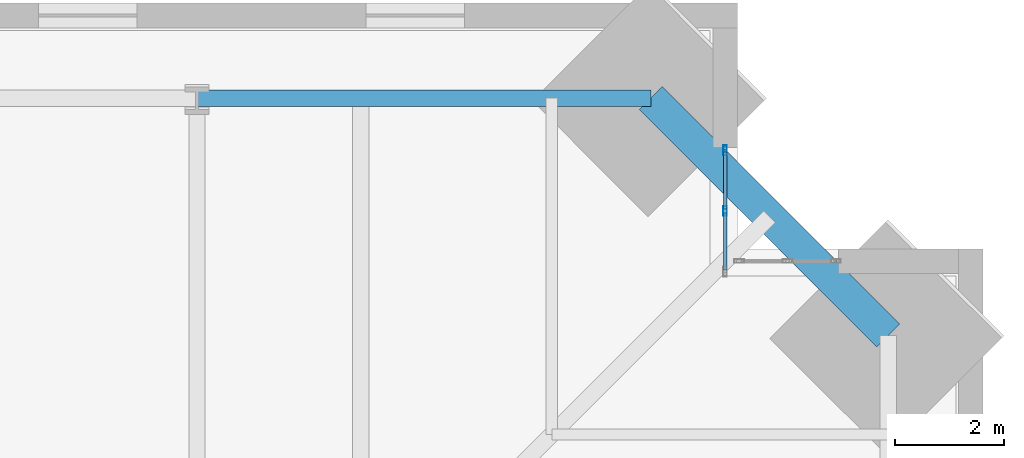
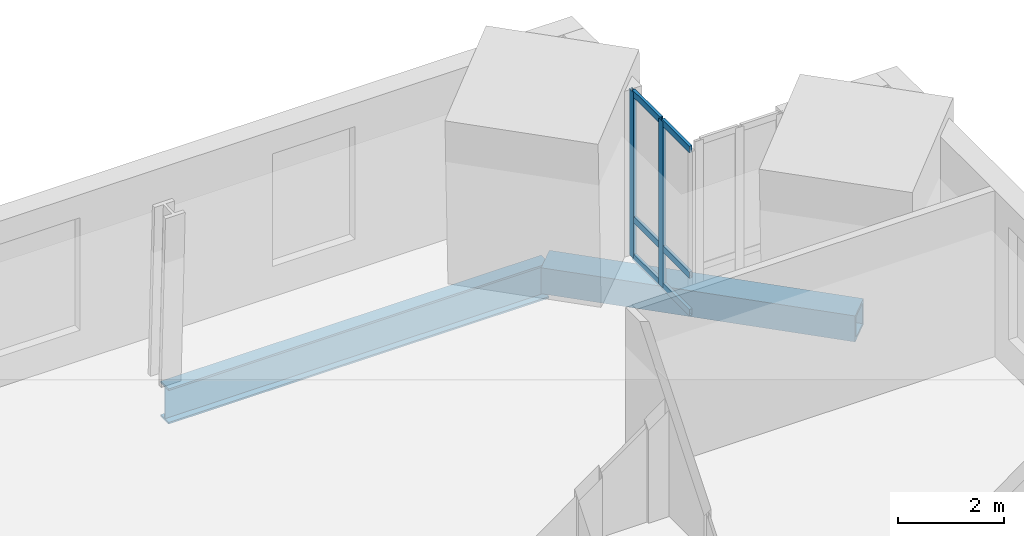
# One storey, part 10 of 17: 8 members, 2 beams, 1 element without a shape of its own.
"""IFC4 building model written with IfcOpenShell, lengths in metres."""

import ifcopenshell
import ifcopenshell.guid

model = None  # the IFC model being written
_history = None  # IfcOwnerHistory: only IFC2X3 demands one
_inside = {}  # id of a spatial element -> (the spatial element, [elements in it])
_under = {}  # id of a project, library or spatial element -> (it, [spatial elements below it])
_declared = {}  # id of a project -> (the project, [libraries it declares])
_typed = {}  # id of a type object -> (the type object, [elements of that type])
_made_of = {}  # id of a material, layer set ... -> (it, [elements and type objects made of it])


def new_model(schema):
    """Start an empty IFC model of exactly this schema.

    Asked for "IFC4X3", IfcOpenShell would pick the latest addendum, in which some entities
    have other attributes; the version numbers below select the first issue.
    IFC2X3 requires an IfcOwnerHistory on every rooted entity: one is made here for all.
    """
    global model, _history
    if schema == "IFC4X3":
        model = ifcopenshell.file(schema_version=(4, 3, 0, 0))
    else:
        model = ifcopenshell.file(schema=schema)
    _inside.clear()
    _under.clear()
    _declared.clear()
    _typed.clear()
    _made_of.clear()
    _history = None
    if model.schema == "IFC2X3":
        org = make("IfcOrganization", Name="unknown")
        user = make(
            "IfcPersonAndOrganization",
            ThePerson=make("IfcPerson", FamilyName="unknown"),
            TheOrganization=org,
        )
        app = make(
            "IfcApplication",
            ApplicationDeveloper=org,
            Version="unknown",
            ApplicationFullName="unknown",
            ApplicationIdentifier="unknown",
        )
        _history = make(
            "IfcOwnerHistory",
            OwningUser=user,
            OwningApplication=app,
            ChangeAction="ADDED",
            CreationDate=0,
        )
    return model


def make(cls, **values):
    """One entity of the class cls with the attributes given. An attribute that is None is left unset."""
    return model.create_entity(
        cls, **{name: value for name, value in values.items() if value is not None}
    )


def rooted(cls, **values):
    """An entity with a GlobalId (a new one), such as an element, a storey or a relation."""
    return make(cls, GlobalId=ifcopenshell.guid.new(), OwnerHistory=_history, **values)


def si_unit(unit_type, name, prefix=None):
    """IfcSIUnit, for example si_unit("LENGTHUNIT", "METRE", prefix="MILLI")."""
    return make("IfcSIUnit", UnitType=unit_type, Prefix=prefix, Name=name)


def assignment(units):
    """IfcUnitAssignment: the units of a project."""
    return None if units is None else make("IfcUnitAssignment", Units=units)


def point(xyz):
    """IfcCartesianPoint."""
    return None if xyz is None else make("IfcCartesianPoint", Coordinates=xyz)


def direction(xyz):
    """IfcDirection."""
    return None if xyz is None else make("IfcDirection", DirectionRatios=xyz)


def frame(location, z_axis=None, x_axis=None):
    """IfcAxis2Placement3D, a coordinate frame: its origin and axes. An axis left out is left unset."""
    return make(
        "IfcAxis2Placement3D",
        Location=point(location),
        Axis=direction(z_axis),
        RefDirection=direction(x_axis),
    )


def frame_2d(location, x_axis=None):
    """IfcAxis2Placement2D, a coordinate frame in the plane: its origin and x axis."""
    return make(
        "IfcAxis2Placement2D", Location=point(location), RefDirection=direction(x_axis)
    )


def origin():
    """The frame at (0, 0, 0) with its axes left unset."""
    return frame((0.0, 0.0, 0.0))


def origin_2d():
    """The frame at (0, 0) in the plane with its x axis left unset."""
    return frame_2d((0.0, 0.0))


def place(relative_to, where):
    """IfcLocalPlacement: puts the frame where relative to a parent placement (None: the world)."""
    return make(
        "IfcLocalPlacement", PlacementRelTo=relative_to, RelativePlacement=where
    )


def context(
    kind, dimensions, precision=None, world=None, true_north=None, identifier=None
):
    """IfcGeometricRepresentationContext, for example the 3D "Model" context."""
    return make(
        "IfcGeometricRepresentationContext",
        ContextIdentifier=identifier,
        ContextType=kind,
        CoordinateSpaceDimension=dimensions,
        Precision=precision,
        WorldCoordinateSystem=world,
        TrueNorth=true_north,
    )


def subcontext(parent, identifier, kind, view, scale=None):
    """IfcGeometricRepresentationSubContext, for example "Body" below "Model"."""
    return make(
        "IfcGeometricRepresentationSubContext",
        ContextIdentifier=identifier,
        ContextType=kind,
        ParentContext=parent,
        TargetScale=scale,
        TargetView=view,
    )


def project(units=None, contexts=None):
    """IfcProject with its units and contexts."""
    return rooted(
        "IfcProject",
        Name="project",
        RepresentationContexts=contexts,
        UnitsInContext=assignment(units),
    )


def spatial(cls, under=None, at=None, **own):
    """A site, building, storey or space (cls), placed at a placement, below another one or the project."""
    s = rooted(cls, ObjectPlacement=at, **own)
    if under is not None:
        _under.setdefault(under.id(), (under, []))[1].append(s)
    return s


def profile(cls, at=None, kind="AREA", **sizes):
    """A parametric profile (cls). Its sizes go by their IFC names, for example OverallWidth=200.0."""
    return make(cls, ProfileType=kind, Position=at, **sizes)


def hollow_rectangle(**sizes):
    """IfcRectangleHollowProfileDef."""
    return profile("IfcRectangleHollowProfileDef", **sizes)


def i_section(**sizes):
    """IfcIShapeProfileDef."""
    return profile("IfcIShapeProfileDef", **sizes)


def extrude(swept, where, along, depth):
    """IfcExtrudedAreaSolid: the profile swept, set in the frame where, extruded along a direction by depth."""
    return make(
        "IfcExtrudedAreaSolid",
        SweptArea=swept,
        Position=where,
        ExtrudedDirection=direction(along),
        Depth=depth,
    )


def shape(context_of_items, identifier, shape_type, items):
    """IfcShapeRepresentation: the items that make up one representation, for example the "Body"."""
    return make(
        "IfcShapeRepresentation",
        ContextOfItems=context_of_items,
        RepresentationIdentifier=identifier,
        RepresentationType=shape_type,
        Items=items,
    )


def material(Name=None, Category=None):
    """IfcMaterial."""
    return make("IfcMaterial", Name=Name, Category=Category)


def material_profile(
    of_material, cross_section, Name=None, Category=None, Priority=None
):
    """IfcMaterialProfile: a cross section and its material."""
    return make(
        "IfcMaterialProfile",
        Name=Name,
        Material=of_material,
        Profile=cross_section,
        Priority=Priority,
        Category=Category,
    )


def profile_set(profiles, Name=None, composite=None):
    """IfcMaterialProfileSet."""
    return make(
        "IfcMaterialProfileSet",
        Name=Name,
        MaterialProfiles=profiles,
        CompositeProfile=composite,
    )


def made_of(thing, what):
    """Note that an element or type object is made of a material, layer set ...; save() writes the relation."""
    if what is not None:
        _made_of.setdefault(what.id(), (what, []))[1].append(thing)
    return thing


def type_object(cls, material=None, **own):
    """A type object (cls), such as IfcWallType, which elements share."""
    return made_of(rooted(cls, **own), material)


def element(
    cls,
    number,
    at=None,
    inside=None,
    cuts=None,
    type_object=None,
    material=None,
    context=None,
    identifier="Body",
    shape_type=None,
    held_by="IfcProductDefinitionShape",
    body=None,
    shapes=None,
    **own,
):
    """One element of the class cls, such as IfcWall. Its Tag is "e" and its number.

    at: its placement. inside: the storey or other place that contains it. cuts: it is an
    opening in that element (IfcRelVoidsElement). A single representation is given by context,
    identifier, shape_type and body (its items); several are given by shapes. held_by: the class
    of the entity that holds the representations. save() writes the other relations.
    """
    e = rooted(cls, Tag="e%d" % number, ObjectPlacement=at, **own)
    if body is not None:
        shapes = [shape(context, identifier, shape_type, body)]
    if shapes is not None:
        e.Representation = make(held_by, Representations=shapes)
    if inside is not None:
        _inside.setdefault(inside.id(), (inside, []))[1].append(e)
    if cuts is not None:
        rooted(
            "IfcRelVoidsElement", RelatingBuildingElement=cuts, RelatedOpeningElement=e
        )
    if type_object is not None:
        _typed.setdefault(type_object.id(), (type_object, []))[1].append(e)
    return made_of(e, material)


def aggregate(whole, parts):
    """IfcRelAggregates: a whole, such as a stair, and the parts it consists of."""
    return rooted("IfcRelAggregates", RelatingObject=whole, RelatedObjects=parts)


def save(model, path):
    """Write the relations noted so far, then the file.

    IfcRelAggregates (storeys below a building ...), IfcRelContainedInSpatialStructure (elements
    in a storey), IfcRelDefinesByType, IfcRelAssociatesMaterial and IfcRelDeclares: one each for
    every whole, place, type object, material and project.
    """
    for whole, parts in _under.values():
        aggregate(whole, parts)
    for where, things in _inside.values():
        rooted(
            "IfcRelContainedInSpatialStructure",
            RelatedElements=things,
            RelatingStructure=where,
        )
    for kind, things in _typed.values():
        rooted("IfcRelDefinesByType", RelatedObjects=things, RelatingType=kind)
    for what, things in _made_of.values():
        rooted("IfcRelAssociatesMaterial", RelatedObjects=things, RelatingMaterial=what)
    for by, libraries in _declared.values():
        rooted("IfcRelDeclares", RelatingContext=by, RelatedDefinitions=libraries)
    model.write(path)


model = new_model("IFC4")

# Units and contexts
model_context = context("Model", 3, precision=1e-05, world=origin(), true_north=direction((0.0, 1.0)))
body_context = subcontext(model_context, "Body", "Model", "MODEL_VIEW")
ifc_project = project(units=[si_unit("LENGTHUNIT", "METRE"), si_unit("AREAUNIT", "SQUARE_METRE"), si_unit("VOLUMEUNIT", "CUBIC_METRE"), si_unit("PLANEANGLEUNIT", "RADIAN"), si_unit("MASSUNIT", "GRAM", prefix="KILO")], contexts=[model_context])

# Site, building, storey
site_placement = place(None, origin())
site = spatial("IfcSite", under=ifc_project, at=site_placement, CompositionType="ELEMENT")
building_placement = place(site_placement, origin())
building = spatial("IfcBuilding", under=site, at=building_placement, Name="Peilmerk Tower", CompositionType="ELEMENT")
storey_placement = place(building_placement, frame((0.0, 0.0, 253.800048828125)))
storey = spatial("IfcBuildingStorey", under=building, at=storey_placement, Name="L56", CompositionType="ELEMENT", Elevation=253.800048828125)

# Beams
ifc_material_1 = material(Name="Steel S355", Category="steel")
ifc_material_profile_1 = material_profile(ifc_material_1, i_section(OverallWidth=0.302978515625, OverallDepth=0.81396484375, WebThickness=0.02099609375, FlangeThickness=0.0400390625, at=origin_2d()), Name="HEM 800")
ifc_profile_set_1 = profile_set([ifc_material_profile_1], Name="Steel S355")
beam_type_1 = type_object("IfcBeamType", Name="B15 HEM 800 edge beam", PredefinedType="SPANDREL", material=ifc_profile_set_1)
beam_1_placement = place(storey_placement, frame((16.31298828125, 20.662841796875, -0.5771484375), z_axis=(-1.0, 0.0, 0.0), x_axis=(0.0, -1.0, 0.0)))
element("IfcBeam", 1, at=beam_1_placement, inside=storey, type_object=beam_type_1, Name="Edge beam L56", PredefinedType="SPANDREL", context=body_context, shape_type="SweptSolid", body=[
    extrude(i_section(OverallWidth=0.302978515625, OverallDepth=0.81396484375, WebThickness=0.02099609375, FlangeThickness=0.0400390625, at=origin_2d()), origin(), (0.0, 0.0, 1.0), 8.31298828125),
])
ifc_material_2 = material(Name="Steel S460", Category="steel")
ifc_material_profile_2 = material_profile(ifc_material_2, hollow_rectangle(XDim=0.60009765625, YDim=0.60009765625, WallThickness=0.06005859375, at=origin_2d()), Name="BOX 600x600x60")
ifc_profile_set_2 = profile_set([ifc_material_profile_2], Name="Steel S460")
beam_type_2 = type_object("IfcBeamType", Name="B20 BOX 600x600x60 notch beam", PredefinedType="SPANDREL", material=ifc_profile_set_2)
beam_2_placement = place(storey_placement, frame((16.31298828125, 20.662841796875, -0.469970703125), z_axis=(0.707106781187, -0.707106781187, 0.0), x_axis=(0.707106781187, 0.707106781187, 0.0)))
element("IfcBeam", 2, at=beam_2_placement, inside=storey, type_object=beam_type_2, Name="Notch beam L56", PredefinedType="SPANDREL", context=body_context, shape_type="SweptSolid", body=[
    extrude(hollow_rectangle(XDim=0.60009765625, YDim=0.60009765625, WallThickness=0.06005859375, at=origin_2d()), origin(), (0.0, 0.0, 1.0), 6.151611328125),
])

# Curtain wall, members
ifc_material_3 = material(Name="Aluminium stick curtain wall", Category="aluminium")
curtain_wall_type = type_object("IfcCurtainWallType", Name="CW4 stick curtain wall, 2250 module", PredefinedType="NOTDEFINED", material=ifc_material_3)
curtain_wall_placement = place(storey_placement, origin())
curtain_wall = element("IfcCurtainWall", 3, at=curtain_wall_placement, inside=storey, type_object=curtain_wall_type, Name="Curtain wall CW4 NEA L56", PredefinedType="NOTDEFINED")
ifc_material_4 = material(Name="Aluminium EN AW-6063 T6", Category="aluminium")
ifc_material_profile_3 = material_profile(ifc_material_4, hollow_rectangle(XDim=0.06494140625, YDim=0.179931640625, WallThickness=0.0029296875, at=origin_2d()), Name="AL 180x65x3")
ifc_profile_set_3 = profile_set([ifc_material_profile_3], Name="Aluminium EN AW-6063 T6")
member_type_1 = type_object("IfcMemberType", Name="CW4-M AL 180x65x3 mullion", PredefinedType="MULLION", material=ifc_profile_set_3)
member_1_placement = place(storey_placement, frame((17.675048828125, 18.59423828125, 0.0), z_axis=(0.0, 0.0, 1.0), x_axis=(-1.0, 0.0, 0.0)))
member_1 = element("IfcMember", 4, at=member_1_placement, type_object=member_type_1, Name="CW4 mullion 2", PredefinedType="MULLION", context=body_context, shape_type="SweptSolid", body=[
    extrude(hollow_rectangle(XDim=0.06494140625, YDim=0.179931640625, WallThickness=0.0029296875, at=origin_2d()), origin(), (0.0, 0.0, 1.0), 3.829833984375),
])
member_2_placement = place(storey_placement, frame((17.675048828125, 19.706298828125, 0.0), z_axis=(0.0, 0.0, 1.0), x_axis=(-1.0, 0.0, 0.0)))
member_2 = element("IfcMember", 5, at=member_2_placement, type_object=member_type_1, Name="CW4 mullion 3", PredefinedType="MULLION", context=body_context, shape_type="SweptSolid", body=[
    extrude(hollow_rectangle(XDim=0.06494140625, YDim=0.179931640625, WallThickness=0.0029296875, at=origin_2d()), origin(), (0.0, 0.0, 1.0), 3.829833984375),
])
ifc_material_profile_4 = material_profile(ifc_material_4, hollow_rectangle(XDim=0.06494140625, YDim=0.14990234375, WallThickness=0.0029296875, at=origin_2d()), Name="AL 150x65x3")
ifc_profile_set_4 = profile_set([ifc_material_profile_4], Name="Aluminium EN AW-6063 T6")
member_type_2 = type_object("IfcMemberType", Name="CW4-T AL 150x65x3 transom", PredefinedType="USERDEFINED", material=ifc_profile_set_4)
member_3_placement = place(storey_placement, frame((17.675048828125, 17.514892578125, 0.032470703125), z_axis=(0.0, 1.0, 0.0), x_axis=(-1.0, 0.0, 0.0)))
member_3 = element("IfcMember", 6, at=member_3_placement, type_object=member_type_2, Name="CW4 transom 1.1", ObjectType="TRANSOM", PredefinedType="USERDEFINED", context=body_context, shape_type="SweptSolid", body=[
    extrude(hollow_rectangle(XDim=0.06494140625, YDim=0.14990234375, WallThickness=0.0029296875, at=origin_2d()), origin(), (0.0, 0.0, 1.0), 1.046875),
])
member_4_placement = place(storey_placement, frame((17.675048828125, 17.514892578125, 0.89990234375), z_axis=(0.0, 1.0, 0.0), x_axis=(-1.0, 0.0, 0.0)))
member_4 = element("IfcMember", 7, at=member_4_placement, type_object=member_type_2, Name="CW4 transom 1.2", ObjectType="TRANSOM", PredefinedType="USERDEFINED", context=body_context, shape_type="SweptSolid", body=[
    extrude(hollow_rectangle(XDim=0.06494140625, YDim=0.14990234375, WallThickness=0.0029296875, at=origin_2d()), origin(), (0.0, 0.0, 1.0), 1.046875),
])
member_5_placement = place(storey_placement, frame((17.675048828125, 17.514892578125, 3.79736328125), z_axis=(0.0, 1.0, 0.0), x_axis=(-1.0, 0.0, 0.0)))
member_5 = element("IfcMember", 8, at=member_5_placement, type_object=member_type_2, Name="CW4 transom 1.3", ObjectType="TRANSOM", PredefinedType="USERDEFINED", context=body_context, shape_type="SweptSolid", body=[
    extrude(hollow_rectangle(XDim=0.06494140625, YDim=0.14990234375, WallThickness=0.0029296875, at=origin_2d()), origin(), (0.0, 0.0, 1.0), 1.046875),
])
member_6_placement = place(storey_placement, frame((17.675048828125, 18.626953125, 0.032470703125), z_axis=(0.0, 1.0, 0.0), x_axis=(-1.0, 0.0, 0.0)))
member_6 = element("IfcMember", 9, at=member_6_placement, type_object=member_type_2, Name="CW4 transom 2.1", ObjectType="TRANSOM", PredefinedType="USERDEFINED", context=body_context, shape_type="SweptSolid", body=[
    extrude(hollow_rectangle(XDim=0.06494140625, YDim=0.14990234375, WallThickness=0.0029296875, at=origin_2d()), origin(), (0.0, 0.0, 1.0), 1.046630859375),
])
member_7_placement = place(storey_placement, frame((17.675048828125, 18.626953125, 0.89990234375), z_axis=(0.0, 1.0, 0.0), x_axis=(-1.0, 0.0, 0.0)))
member_7 = element("IfcMember", 10, at=member_7_placement, type_object=member_type_2, Name="CW4 transom 2.2", ObjectType="TRANSOM", PredefinedType="USERDEFINED", context=body_context, shape_type="SweptSolid", body=[
    extrude(hollow_rectangle(XDim=0.06494140625, YDim=0.14990234375, WallThickness=0.0029296875, at=origin_2d()), origin(), (0.0, 0.0, 1.0), 1.046630859375),
])
member_8_placement = place(storey_placement, frame((17.675048828125, 18.626953125, 3.79736328125), z_axis=(0.0, 1.0, 0.0), x_axis=(-1.0, 0.0, 0.0)))
member_8 = element("IfcMember", 11, at=member_8_placement, type_object=member_type_2, Name="CW4 transom 2.3", ObjectType="TRANSOM", PredefinedType="USERDEFINED", context=body_context, shape_type="SweptSolid", body=[
    extrude(hollow_rectangle(XDim=0.06494140625, YDim=0.14990234375, WallThickness=0.0029296875, at=origin_2d()), origin(), (0.0, 0.0, 1.0), 1.046630859375),
])
aggregate(curtain_wall, [member_1, member_2, member_3, member_4, member_5, member_6, member_7, member_8])

save(model, "model.ifc")
